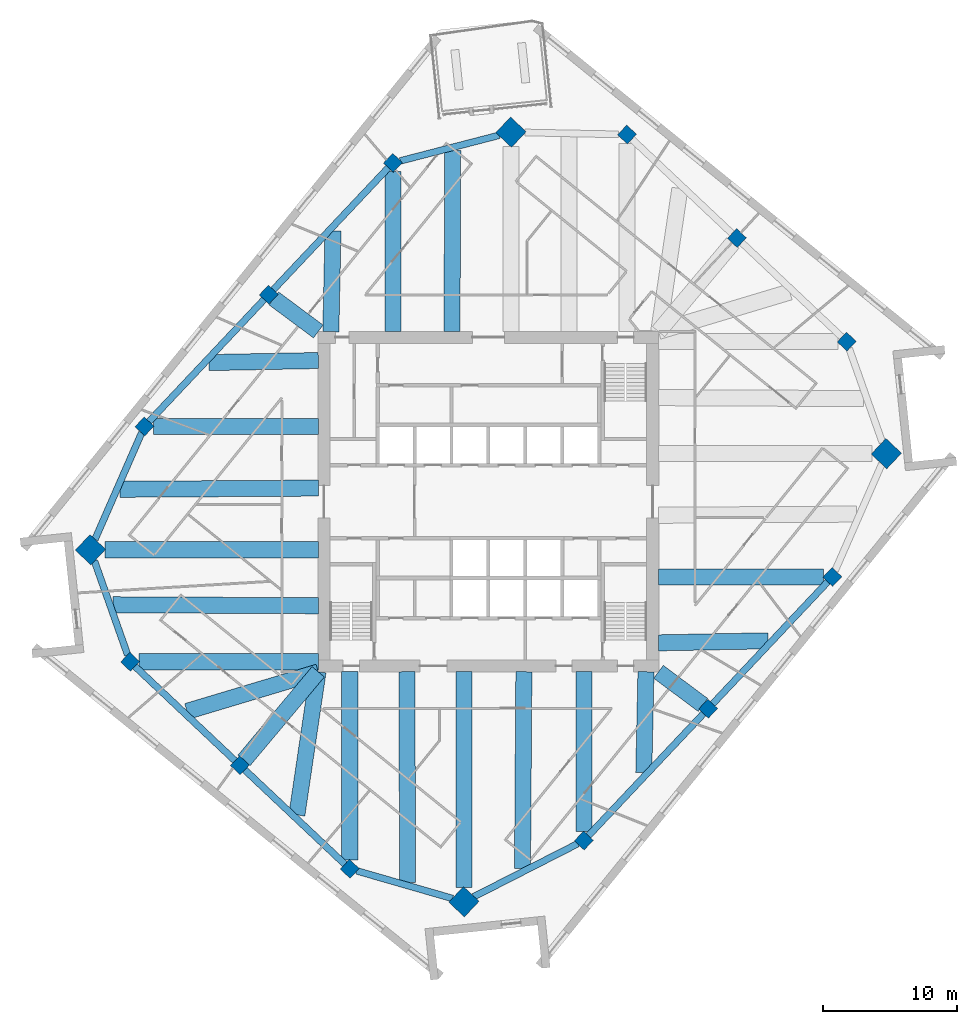
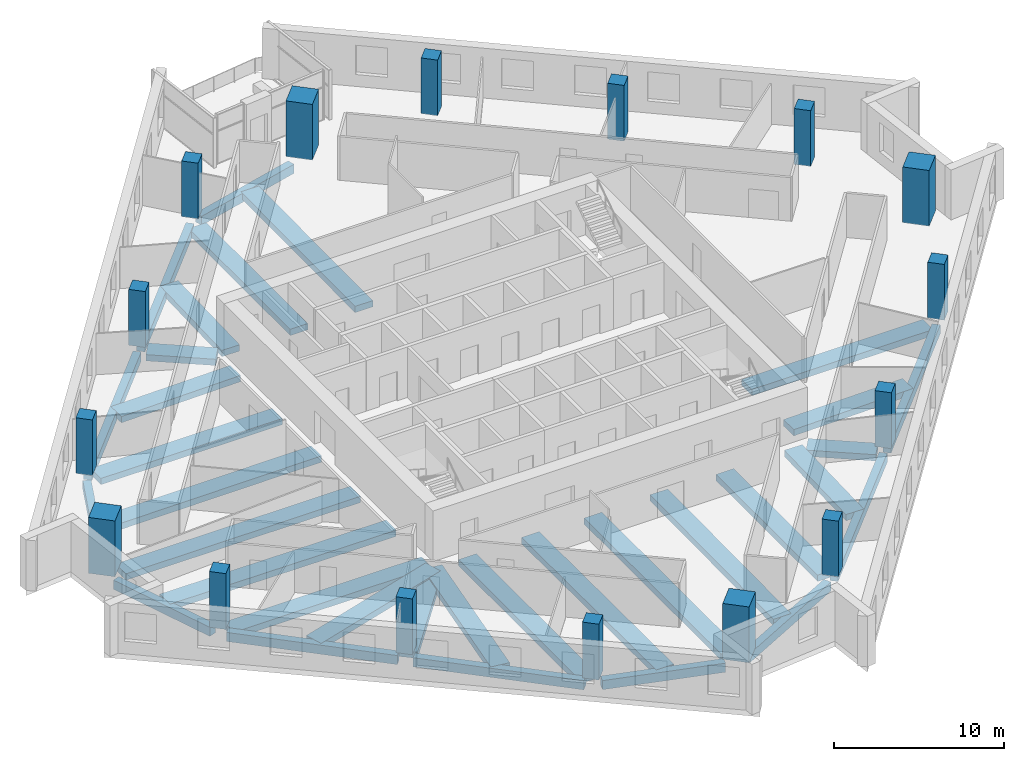
# One storey, part 1 of 14: 33 beams, 16 columns.
"""IFC4 building model written with IfcOpenShell, lengths in metres."""

from ifc_helpers import new_model, si_unit, direction, frame, origin, origin_2d, place, context, subcontext, project, spatial, rectangle, extrude, material, material_profile, profile_set, type_object, element, save


model = new_model("IFC4")

# Units and contexts
model_context = context("Model", 3, precision=1e-05, world=origin(), true_north=direction((0.0, 1.0)))
body_context = subcontext(model_context, "Body", "Model", "MODEL_VIEW")
ifc_project = project(units=[si_unit("LENGTHUNIT", "METRE"), si_unit("AREAUNIT", "SQUARE_METRE"), si_unit("VOLUMEUNIT", "CUBIC_METRE"), si_unit("PLANEANGLEUNIT", "RADIAN"), si_unit("MASSUNIT", "GRAM", prefix="KILO")], contexts=[model_context])

# Site, building, storey
site_placement = place(None, origin())
site = spatial("IfcSite", under=ifc_project, at=site_placement, CompositionType="ELEMENT")
building_placement = place(site_placement, origin())
building = spatial("IfcBuilding", under=site, at=building_placement, Name="Dilmun Exchange Tower", CompositionType="ELEMENT")
storey_placement = place(building_placement, frame((0.0, 0.0, 229.300048828125)))
storey = spatial("IfcBuildingStorey", under=building, at=storey_placement, Name="L54", CompositionType="ELEMENT", Elevation=229.300048828125)

# Columns
ifc_material_1 = material(Name="Concrete C60/75", Category="concrete")
ifc_material_profile_1 = material_profile(ifc_material_1, rectangle(XDim=1.60009765625, YDim=1.60009765625, at=origin_2d()), Name="1600 x 1600")
ifc_profile_set_1 = profile_set([ifc_material_profile_1], Name="Concrete C60/75")
column_type_1 = type_object("IfcColumnType", Name="RC mega column 1600 x 1600 C60/75", PredefinedType="COLUMN", material=ifc_profile_set_1)
for number, where, z_axis, x_axis, name in (
    (1, (1.68505859375, 27.5380859375, 0.0), (0.0, 0.0, 1.0), (0.685916152371, 0.727680583715, 0.0), "Mega column M1"),
    (2, (-29.658935546875, -3.58203125, 0.0), (0.0, 0.0, 1.0), (0.685916152371, 0.727680583715, 0.0), "Mega column M2"),
    (3, (-1.824951171875, -29.818115234375, 0.0), (0.0, 0.0, 1.0), (0.685916152371, 0.727680583715, 0.0), "Mega column M3"),
    (4, (29.658935546875, 3.58203125, 0.0), (0.0, 0.0, 1.0), (0.685916152371, 0.727680583715, 0.0), "Mega column M4"),
):
    element("IfcColumn", number, at=place(storey_placement, frame(where, z_axis=z_axis, x_axis=x_axis)), inside=storey, type_object=column_type_1, Name=name, PredefinedType="COLUMN", context=body_context, shape_type="SweptSolid", body=[
        extrude(rectangle(XDim=1.60009765625, YDim=1.60009765625, at=origin_2d()), origin(), (0.0, 0.0, 1.0), 4.0),
    ])
ifc_material_profile_2 = material_profile(ifc_material_1, rectangle(XDim=1.0, YDim=1.0, at=origin_2d()), Name="1000 x 1000")
ifc_profile_set_2 = profile_set([ifc_material_profile_2], Name="Concrete C60/75")
column_type_2 = type_object("IfcColumnType", Name="RC ring column 1000 x 1000 C60/75", PredefinedType="COLUMN", material=ifc_profile_set_2)
for number, where, z_axis, x_axis, name in (
    (5, (-7.113037109375, 25.257080078125, 0.0), (0.0, 0.0, 1.0), (0.685916152371, 0.727680583715, 0.0), "Ring column R01"),
    (6, (-16.373046875, 15.43310546875, 0.0), (0.0, 0.0, 1.0), (0.685916152371, 0.727680583715, 0.0), "Ring column R02"),
    (7, (-25.633056640625, 5.60888671875, 0.0), (0.0, 0.0, 1.0), (0.685916152371, 0.727680583715, 0.0), "Ring column R03"),
    (8, (-26.7060546875, -11.930908203125, 0.0), (0.0, 0.0, 1.0), (0.685916152371, 0.727680583715, 0.0), "Ring column R04"),
    (9, (-18.52001953125, -19.64697265625, 0.0), (0.0, 0.0, 1.0), (0.685916152371, 0.727680583715, 0.0), "Ring column R05"),
    (10, (-10.3330078125, -27.364013671875, 0.0), (0.0, 0.0, 1.0), (0.685916152371, 0.727680583715, 0.0), "Ring column R06"),
    (11, (7.113037109375, -25.257080078125, 0.0), (0.0, 0.0, 1.0), (0.685916152371, 0.727680583715, 0.0), "Ring column R07"),
    (12, (16.373046875, -15.43310546875, 0.0), (0.0, 0.0, 1.0), (0.685916152371, 0.727680583715, 0.0), "Ring column R08"),
    (13, (25.633056640625, -5.60888671875, 0.0), (0.0, 0.0, 1.0), (0.685916152371, 0.727680583715, 0.0), "Ring column R09"),
    (14, (26.7060546875, 11.930908203125, 0.0), (0.0, 0.0, 1.0), (0.685916152371, 0.727680583715, 0.0), "Ring column R10"),
    (15, (18.52001953125, 19.64697265625, 0.0), (0.0, 0.0, 1.0), (0.685916152371, 0.727680583715, 0.0), "Ring column R11"),
    (16, (10.3330078125, 27.364013671875, 0.0), (0.0, 0.0, 1.0), (0.685916152371, 0.727680583715, 0.0), "Ring column R12"),
):
    element("IfcColumn", number, at=place(storey_placement, frame(where, z_axis=z_axis, x_axis=x_axis)), inside=storey, type_object=column_type_2, Name=name, PredefinedType="COLUMN", context=body_context, shape_type="SweptSolid", body=[
        extrude(rectangle(XDim=1.0, YDim=1.0, at=origin_2d()), origin(), (0.0, 0.0, 1.0), 4.0),
    ])

# Beams
ifc_material_2 = material(Name="Concrete C40/50", Category="concrete")
ifc_material_profile_3 = material_profile(ifc_material_2, rectangle(XDim=1.199951171875, YDim=0.449951171875, at=origin_2d()), Name="1200 x 450")
ifc_profile_set_3 = profile_set([ifc_material_profile_3], Name="Concrete C40/50")
beam_type_1 = type_object("IfcBeamType", Name="RC band beam 1200 x 450 C40/50", PredefinedType="BEAM", material=ifc_profile_set_3)
beam_1_placement = place(storey_placement, frame((-7.113037109375, 24.596923828125, -0.705078125), z_axis=(0.0, -1.0, 0.0), x_axis=(1.0, 0.0, 0.0)))
element("IfcBeam", 17, at=beam_1_placement, inside=storey, type_object=beam_type_1, Name="Band beam 2", PredefinedType="BEAM", context=body_context, shape_type="SweptSolid", body=[
    extrude(rectangle(XDim=1.199951171875, YDim=0.449951171875, at=origin_2d()), origin(), (0.0, 0.0, 1.0), 11.923828125),
])
beam_2_placement = place(storey_placement, frame((-15.99072265625, 15.148681640625, -0.705078125), z_axis=(0.802264832552, -0.596968289317, 0.0), x_axis=(0.596968289317, 0.802264832552, 0.0)))
element("IfcBeam", 18, at=beam_2_placement, inside=storey, type_object=beam_type_1, Name="Band beam 3", PredefinedType="BEAM", context=body_context, shape_type="SweptSolid", body=[
    extrude(rectangle(XDim=1.199951171875, YDim=0.449951171875, at=origin_2d()), origin(), (0.0, 0.0, 1.0), 4.12890625),
])
beam_3_placement = place(storey_placement, frame((-24.972900390625, 5.60888671875, -0.705078125), z_axis=(1.0, 0.0, 0.0), x_axis=(0.0, 1.0, 0.0)))
element("IfcBeam", 19, at=beam_3_placement, inside=storey, type_object=beam_type_1, Name="Band beam 4", PredefinedType="BEAM", context=body_context, shape_type="SweptSolid", body=[
    extrude(rectangle(XDim=1.199951171875, YDim=0.449951171875, at=origin_2d()), origin(), (0.0, 0.0, 1.0), 12.2998046875),
])
beam_4_placement = place(storey_placement, frame((-28.586669921875, -3.58203125, -0.705078125), z_axis=(1.0, 0.0, 0.0), x_axis=(0.0, 1.0, 0.0)))
element("IfcBeam", 20, at=beam_4_placement, inside=storey, type_object=beam_type_1, Name="Band beam 5", PredefinedType="BEAM", context=body_context, shape_type="SweptSolid", body=[
    extrude(rectangle(XDim=1.199951171875, YDim=0.449951171875, at=origin_2d()), origin(), (0.0, 0.0, 1.0), 15.91357421875),
])
beam_5_placement = place(storey_placement, frame((-26.0458984375, -11.930908203125, -0.705078125), z_axis=(1.0, 0.0, 0.0), x_axis=(0.0, 1.0, 0.0)))
element("IfcBeam", 21, at=beam_5_placement, inside=storey, type_object=beam_type_1, Name="Band beam 6", PredefinedType="BEAM", context=body_context, shape_type="SweptSolid", body=[
    extrude(rectangle(XDim=1.199951171875, YDim=0.449951171875, at=origin_2d()), origin(), (0.0, 0.0, 1.0), 13.372802734375),
])
beam_6_placement = place(storey_placement, frame((-18.2158203125, -19.28369140625, -0.705078125), z_axis=(0.642200063897, 0.766537068856, 0.0), x_axis=(-0.766537068856, 0.642200063897, 0.0)))
element("IfcBeam", 22, at=beam_6_placement, inside=storey, type_object=beam_type_1, Name="Band beam 7", PredefinedType="BEAM", context=body_context, shape_type="SweptSolid", body=[
    extrude(rectangle(XDim=1.199951171875, YDim=0.449951171875, at=origin_2d()), origin(), (0.0, 0.0, 1.0), 8.615966796875),
])
beam_7_placement = place(storey_placement, frame((-10.3330078125, -26.703857421875, -0.705078125), z_axis=(0.0, 1.0, 0.0), x_axis=(-1.0, 0.0, 0.0)))
element("IfcBeam", 23, at=beam_7_placement, inside=storey, type_object=beam_type_1, Name="Band beam 8", PredefinedType="BEAM", context=body_context, shape_type="SweptSolid", body=[
    extrude(rectangle(XDim=1.199951171875, YDim=0.449951171875, at=origin_2d()), origin(), (0.0, 0.0, 1.0), 14.03076171875),
])
beam_8_placement = place(storey_placement, frame((-1.824951171875, -28.74560546875, -0.705078125), z_axis=(0.0, 1.0, 0.0), x_axis=(-1.0, 0.0, 0.0)))
element("IfcBeam", 24, at=beam_8_placement, inside=storey, type_object=beam_type_1, Name="Band beam 9", PredefinedType="BEAM", context=body_context, shape_type="SweptSolid", body=[
    extrude(rectangle(XDim=1.199951171875, YDim=0.449951171875, at=origin_2d()), origin(), (0.0, 0.0, 1.0), 16.072509765625),
])
beam_9_placement = place(storey_placement, frame((7.113037109375, -24.596923828125, -0.705078125), z_axis=(0.0, 1.0, 0.0), x_axis=(-1.0, 0.0, 0.0)))
element("IfcBeam", 25, at=beam_9_placement, inside=storey, type_object=beam_type_1, Name="Band beam 10", PredefinedType="BEAM", context=body_context, shape_type="SweptSolid", body=[
    extrude(rectangle(XDim=1.199951171875, YDim=0.449951171875, at=origin_2d()), origin(), (0.0, 0.0, 1.0), 11.923828125),
])
beam_10_placement = place(storey_placement, frame((15.99072265625, -15.148681640625, -0.705078125), z_axis=(-0.802264832552, 0.596968289317, 0.0), x_axis=(-0.596968289317, -0.802264832552, 0.0)))
element("IfcBeam", 26, at=beam_10_placement, inside=storey, type_object=beam_type_1, Name="Band beam 11", PredefinedType="BEAM", context=body_context, shape_type="SweptSolid", body=[
    extrude(rectangle(XDim=1.199951171875, YDim=0.449951171875, at=origin_2d()), origin(), (0.0, 0.0, 1.0), 4.12890625),
])
beam_11_placement = place(storey_placement, frame((24.972900390625, -5.60888671875, -0.705078125), z_axis=(-1.0, 0.0, 0.0), x_axis=(0.0, -1.0, 0.0)))
element("IfcBeam", 27, at=beam_11_placement, inside=storey, type_object=beam_type_1, Name="Band beam 12", PredefinedType="BEAM", context=body_context, shape_type="SweptSolid", body=[
    extrude(rectangle(XDim=1.199951171875, YDim=0.449951171875, at=origin_2d()), origin(), (0.0, 0.0, 1.0), 12.2998046875),
])
beam_12_placement = place(storey_placement, frame((-2.657958984375, 26.181640625, -0.60498046875), z_axis=(-0.004156765881, -0.999991360611, 0.0), x_axis=(0.999991360611, -0.004156765881, 0.0)))
element("IfcBeam", 28, at=beam_12_placement, inside=storey, type_object=beam_type_1, Name="Band beam 17", PredefinedType="BEAM", context=body_context, shape_type="SweptSolid", body=[
    extrude(rectangle(XDim=1.199951171875, YDim=0.449951171875, at=origin_2d()), origin(), (0.0, 0.0, 1.0), 13.508544921875),
])
beam_13_placement = place(storey_placement, frame((-11.580810546875, 20.19189453125, -0.60498046875), z_axis=(-0.021555532074, -0.999767652526, 0.0), x_axis=(0.999767652526, -0.021555532074, 0.0)))
element("IfcBeam", 29, at=beam_13_placement, inside=storey, type_object=beam_type_1, Name="Band beam 18", PredefinedType="BEAM", context=body_context, shape_type="SweptSolid", body=[
    extrude(rectangle(XDim=1.199951171875, YDim=0.449951171875, at=origin_2d()), origin(), (0.0, 0.0, 1.0), 7.5205078125),
])
beam_14_placement = place(storey_placement, frame((-20.8408203125, 10.367919921875, -0.60498046875), z_axis=(0.999824422594, 0.018738302585, 0.0), x_axis=(-0.018738302585, 0.999824422594, 0.0)))
element("IfcBeam", 30, at=beam_14_placement, inside=storey, type_object=beam_type_1, Name="Band beam 19", PredefinedType="BEAM", context=body_context, shape_type="SweptSolid", body=[
    extrude(rectangle(XDim=1.199951171875, YDim=0.449951171875, at=origin_2d()), origin(), (0.0, 0.0, 1.0), 8.169189453125),
])
beam_15_placement = place(storey_placement, frame((-27.441650390625, 0.924072265625, -0.60498046875), z_axis=(0.999981696912, 0.006050276087, 0.0), x_axis=(-0.006050276087, 0.999981696912, 0.0)))
element("IfcBeam", 31, at=beam_15_placement, inside=storey, type_object=beam_type_1, Name="Band beam 20", PredefinedType="BEAM", context=body_context, shape_type="SweptSolid", body=[
    extrude(rectangle(XDim=1.199951171875, YDim=0.449951171875, at=origin_2d()), origin(), (0.0, 0.0, 1.0), 14.768798828125),
])
beam_16_placement = place(storey_placement, frame((-27.972412109375, -7.68212890625, -0.60498046875), z_axis=(0.99998815601, -0.004867015408, 0.0), x_axis=(0.004867015408, 0.99998815601, 0.0)))
element("IfcBeam", 32, at=beam_16_placement, inside=storey, type_object=beam_type_1, Name="Band beam 21", PredefinedType="BEAM", context=body_context, shape_type="SweptSolid", body=[
    extrude(rectangle(XDim=1.199951171875, YDim=0.449951171875, at=origin_2d()), origin(), (0.0, 0.0, 1.0), 15.299560546875),
])
beam_17_placement = place(storey_placement, frame((-22.4599609375, -15.626708984375, -0.60498046875), z_axis=(0.957849959988, 0.287268957862, 0.0), x_axis=(-0.287268957862, 0.957849959988, 0.0)))
element("IfcBeam", 33, at=beam_17_placement, inside=storey, type_object=beam_type_1, Name="Band beam 22", PredefinedType="BEAM", context=body_context, shape_type="SweptSolid", body=[
    extrude(rectangle(XDim=1.199951171875, YDim=0.449951171875, at=origin_2d()), origin(), (0.0, 0.0, 1.0), 10.21630859375),
])
beam_18_placement = place(storey_placement, frame((-14.2734375, -23.34326171875, -0.60498046875), z_axis=(0.146268101323, 0.989244986106, 0.0), x_axis=(-0.989244986106, 0.146268101323, 0.0)))
element("IfcBeam", 34, at=beam_18_placement, inside=storey, type_object=beam_type_1, Name="Band beam 23", PredefinedType="BEAM", context=body_context, shape_type="SweptSolid", body=[
    extrude(rectangle(XDim=1.199951171875, YDim=0.449951171875, at=origin_2d()), origin(), (0.0, 0.0, 1.0), 10.785888671875),
])
beam_19_placement = place(storey_placement, frame((-6.01708984375, -28.376708984375, -0.60498046875), z_axis=(-0.003948851398, 0.999992203256, 0.0), x_axis=(-0.999992203256, -0.003948851398, 0.0)))
element("IfcBeam", 35, at=beam_19_placement, inside=storey, type_object=beam_type_1, Name="Band beam 24", PredefinedType="BEAM", context=body_context, shape_type="SweptSolid", body=[
    extrude(rectangle(XDim=1.199951171875, YDim=0.449951171875, at=origin_2d()), origin(), (0.0, 0.0, 1.0), 15.703857421875),
])
beam_20_placement = place(storey_placement, frame((2.54248046875, -27.3388671875, -0.60498046875), z_axis=(0.006924972536, 0.99997602209, 0.0), x_axis=(-0.99997602209, 0.006924972536, 0.0)))
element("IfcBeam", 36, at=beam_20_placement, inside=storey, type_object=beam_type_1, Name="Band beam 25", PredefinedType="BEAM", context=body_context, shape_type="SweptSolid", body=[
    extrude(rectangle(XDim=1.199951171875, YDim=0.449951171875, at=origin_2d()), origin(), (0.0, 0.0, 1.0), 14.666015625),
])
beam_21_placement = place(storey_placement, frame((11.580810546875, -20.19189453125, -0.60498046875), z_axis=(0.021555532074, 0.999767652526, 0.0), x_axis=(-0.999767652526, 0.021555532074, 0.0)))
element("IfcBeam", 37, at=beam_21_placement, inside=storey, type_object=beam_type_1, Name="Band beam 26", PredefinedType="BEAM", context=body_context, shape_type="SweptSolid", body=[
    extrude(rectangle(XDim=1.199951171875, YDim=0.449951171875, at=origin_2d()), origin(), (0.0, 0.0, 1.0), 7.5205078125),
])
beam_22_placement = place(storey_placement, frame((20.8408203125, -10.367919921875, -0.60498046875), z_axis=(-0.999824422594, -0.018738302585, 0.0), x_axis=(0.018738302585, -0.999824422594, 0.0)))
element("IfcBeam", 38, at=beam_22_placement, inside=storey, type_object=beam_type_1, Name="Band beam 27", PredefinedType="BEAM", context=body_context, shape_type="SweptSolid", body=[
    extrude(rectangle(XDim=1.199951171875, YDim=0.449951171875, at=origin_2d()), origin(), (0.0, 0.0, 1.0), 8.169189453125),
])
ifc_material_profile_4 = material_profile(ifc_material_2, rectangle(XDim=0.5, YDim=0.64990234375, at=origin_2d()), Name="500 x 650")
ifc_profile_set_4 = profile_set([ifc_material_profile_4], Name="Concrete C40/50")
beam_type_2 = type_object("IfcBeamType", Name="RC ring beam 500 x 650 C40/50", PredefinedType="SPANDREL", material=ifc_profile_set_4)
beam_23_placement = place(storey_placement, frame((0.79638671875, 27.3076171875, -0.705078125), z_axis=(-0.967995165605, -0.250968841424, 0.0), x_axis=(0.250968841424, -0.967995165605, 0.0)))
element("IfcBeam", 39, at=beam_23_placement, inside=storey, type_object=beam_type_2, Name="Ring beam 1", PredefinedType="SPANDREL", context=body_context, shape_type="SweptSolid", body=[
    extrude(rectangle(XDim=0.5, YDim=0.64990234375, at=origin_2d()), origin(), (0.0, 0.0, 1.0), 7.607177734375),
])
for number, where, z_axis, x_axis, name in (
    (40, (-7.4375, 24.912841796875, -0.705078125), (-0.685902559512, -0.727693396188, 0.0), (0.727693396188, -0.685902559512, 0.0), "Ring beam 2"),
    (41, (-16.697509765625, 15.0888671875, -0.705078125), (-0.685902559512, -0.727693396188, 0.0), (0.727693396188, -0.685902559512, 0.0), "Ring beam 3"),
):
    element("IfcBeam", number, at=place(storey_placement, frame(where, z_axis=z_axis, x_axis=x_axis)), inside=storey, type_object=beam_type_2, Name=name, PredefinedType="SPANDREL", context=body_context, shape_type="SweptSolid", body=[
        extrude(rectangle(XDim=0.5, YDim=0.64990234375, at=origin_2d()), origin(), (0.0, 0.0, 1.0), 12.554443359375),
    ])
beam_24_placement = place(storey_placement, frame((-25.835205078125, 5.1474609375, -0.705078125), z_axis=(-0.401239440722, -0.915973204416, 0.0), x_axis=(0.915973204416, -0.401239440722, 0.0)))
element("IfcBeam", 42, at=beam_24_placement, inside=storey, type_object=beam_type_2, Name="Ring beam 4", PredefinedType="SPANDREL", context=body_context, shape_type="SweptSolid", body=[
    extrude(rectangle(XDim=0.5, YDim=0.64990234375, at=origin_2d()), origin(), (0.0, 0.0, 1.0), 8.707763671875),
])
beam_25_placement = place(storey_placement, frame((-29.367919921875, -4.404541015625, -0.705078125), z_axis=(0.333423578623, -0.942777130195, 0.0), x_axis=(0.942777130195, 0.333423578623, 0.0)))
element("IfcBeam", 43, at=beam_25_placement, inside=storey, type_object=beam_type_2, Name="Ring beam 5", PredefinedType="SPANDREL", context=body_context, shape_type="SweptSolid", body=[
    extrude(rectangle(XDim=0.5, YDim=0.64990234375, at=origin_2d()), origin(), (0.0, 0.0, 1.0), 7.4482421875),
])
beam_26_placement = place(storey_placement, frame((-26.36181640625, -12.25537109375, -0.705078125), z_axis=(0.727685706374, -0.68591071776, 0.0), x_axis=(0.68591071776, 0.727685706374, 0.0)))
element("IfcBeam", 44, at=beam_26_placement, inside=storey, type_object=beam_type_2, Name="Ring beam 6", PredefinedType="SPANDREL", context=body_context, shape_type="SweptSolid", body=[
    extrude(rectangle(XDim=0.5, YDim=0.64990234375, at=origin_2d()), origin(), (0.0, 0.0, 1.0), 10.30322265625),
])
beam_27_placement = place(storey_placement, frame((-18.17578125, -19.971435546875, -0.705078125), z_axis=(0.727682990869, -0.685913598641, 0.0), x_axis=(0.685913598641, 0.727682990869, 0.0)))
element("IfcBeam", 45, at=beam_27_placement, inside=storey, type_object=beam_type_2, Name="Ring beam 7", PredefinedType="SPANDREL", context=body_context, shape_type="SweptSolid", body=[
    extrude(rectangle(XDim=0.5, YDim=0.64990234375, at=origin_2d()), origin(), (0.0, 0.0, 1.0), 10.3046875),
])
beam_28_placement = place(storey_placement, frame((-9.818603515625, -27.51220703125, -0.705078125), z_axis=(0.960825605861, -0.277153666983, 0.0), x_axis=(0.277153666983, 0.960825605861, 0.0)))
element("IfcBeam", 46, at=beam_28_placement, inside=storey, type_object=beam_type_2, Name="Ring beam 8", PredefinedType="SPANDREL", context=body_context, shape_type="SweptSolid", body=[
    extrude(rectangle(XDim=0.5, YDim=0.64990234375, at=origin_2d()), origin(), (0.0, 0.0, 1.0), 7.447021484375),
])
beam_29_placement = place(storey_placement, frame((-1.09228515625, -29.444091796875, -0.705078125), z_axis=(0.89072990219, 0.454532992581, 0.0), x_axis=(-0.454532992581, 0.89072990219, 0.0)))
element("IfcBeam", 47, at=beam_29_placement, inside=storey, type_object=beam_type_2, Name="Ring beam 9", PredefinedType="SPANDREL", context=body_context, shape_type="SweptSolid", body=[
    extrude(rectangle(XDim=0.5, YDim=0.64990234375, at=origin_2d()), origin(), (0.0, 0.0, 1.0), 8.707763671875),
])
for number, where, z_axis, x_axis, name in (
    (48, (7.4375, -24.912841796875, -0.705078125), (0.685902559512, 0.727693396188, 0.0), (-0.727693396188, 0.685902559512, 0.0), "Ring beam 10"),
    (49, (16.697509765625, -15.0888671875, -0.705078125), (0.685902559512, 0.727693396188, 0.0), (-0.727693396188, 0.685902559512, 0.0), "Ring beam 11"),
):
    element("IfcBeam", number, at=place(storey_placement, frame(where, z_axis=z_axis, x_axis=x_axis)), inside=storey, type_object=beam_type_2, Name=name, PredefinedType="SPANDREL", context=body_context, shape_type="SweptSolid", body=[
        extrude(rectangle(XDim=0.5, YDim=0.64990234375, at=origin_2d()), origin(), (0.0, 0.0, 1.0), 12.554443359375),
    ])

save(model, "model.ifc")
